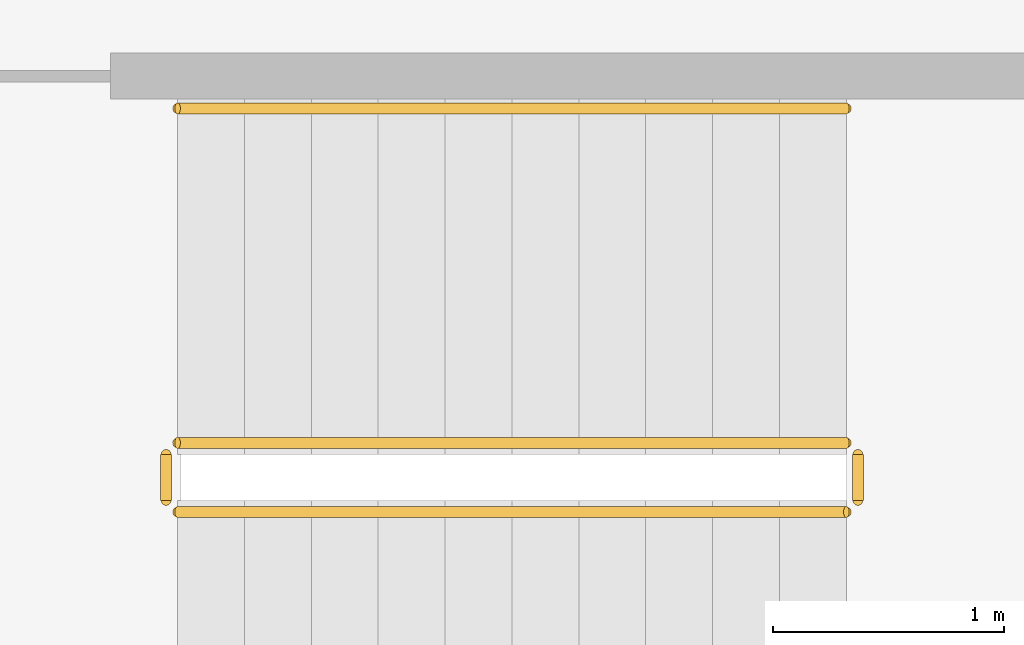
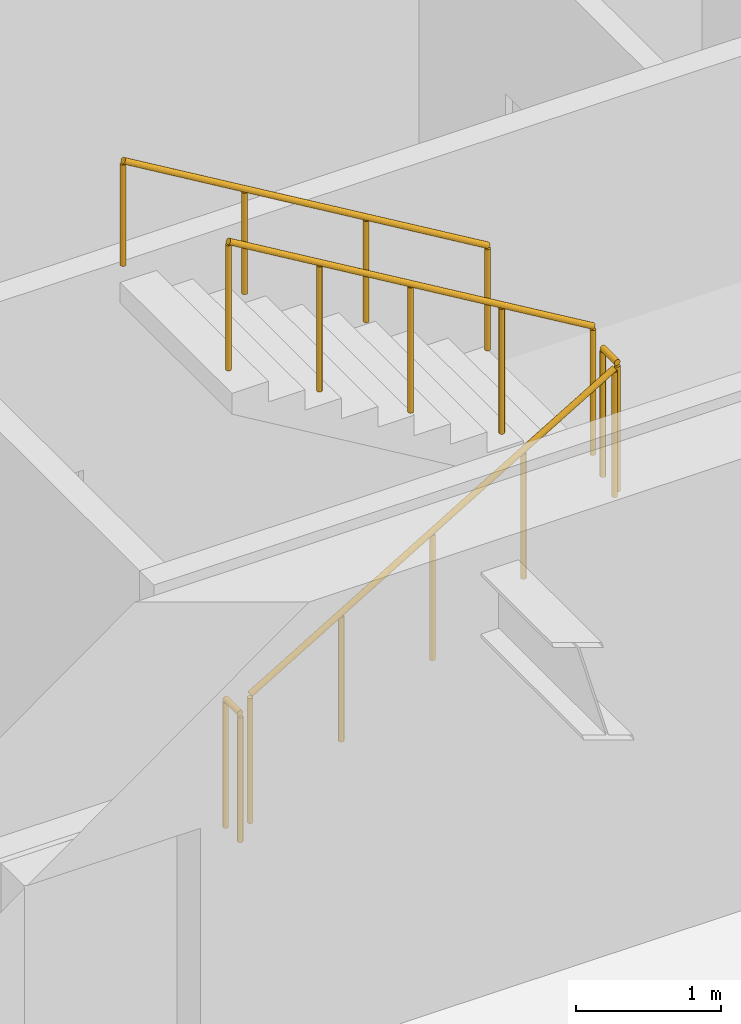
# One storey, part 21 of 22: 5 railings.
"""IFC4 building model written with IfcOpenShell, lengths in metres."""

from ifc_helpers import new_model, si_unit, direction, frame, origin, origin_2d, place, context, subcontext, project, spatial, circle, extrude, material, type_object, element, save


model = new_model("IFC4")

# Units and contexts
model_context = context("Model", 3, precision=1e-05, world=origin(), true_north=direction((0.0, 1.0)))
body_context = subcontext(model_context, "Body", "Model", "MODEL_VIEW")
ifc_project = project(units=[si_unit("LENGTHUNIT", "METRE"), si_unit("AREAUNIT", "SQUARE_METRE"), si_unit("VOLUMEUNIT", "CUBIC_METRE"), si_unit("PLANEANGLEUNIT", "RADIAN"), si_unit("MASSUNIT", "GRAM", prefix="KILO")], contexts=[model_context])

# Site, building, storey
site_placement = place(None, origin())
site = spatial("IfcSite", under=ifc_project, at=site_placement, CompositionType="ELEMENT")
building_placement = place(site_placement, origin())
building = spatial("IfcBuilding", under=site, at=building_placement, Name="Putna Gate Headquarters", CompositionType="ELEMENT")
storey_placement = place(building_placement, frame((0.0, 0.0, 186.0)))
storey = spatial("IfcBuildingStorey", under=building, at=storey_placement, Name="L46", CompositionType="ELEMENT", Elevation=186.0)

# Railings
ifc_material_1 = material(Name="Powder-coated steel stair guardrail", Category="steel")
railing_type_1 = type_object("IfcRailingType", Name="RAIL-STAIR-GUARD-1100", PredefinedType="GUARDRAIL", material=ifc_material_1)
railing_1_placement = place(storey_placement, frame((57.89990234375, 21.10009765625, 0.172607421875)))
element("IfcRailing", 1, at=railing_1_placement, inside=storey, type_object=railing_type_1, Name="L46 ST2 stair guard 1", PredefinedType="GUARDRAIL", context=body_context, shape_type="SweptSolid", body=[
    extrude(circle(Radius=0.02392578125, at=origin_2d()), frame((0.0, 0.0, 1.076171875), z_axis=(0.859160404282, 0.0, 0.51170636083), x_axis=(0.0, 1.0, 0.0)), (0.0, 0.0, 1.0), 3.37548828125),
    extrude(circle(Radius=0.02099609375, at=origin_2d()), origin(), (0.0, 0.0, 1.0), 1.052001953125),
    extrude(circle(Radius=0.02099609375, at=origin_2d()), frame((0.72509765625, 0.0, 0.431884765625)), (0.0, 0.0, 1.0), 1.052001953125),
    extrude(circle(Radius=0.02099609375, at=origin_2d()), frame((1.4501953125, 0.0, 0.86376953125)), (0.0, 0.0, 1.0), 1.052001953125),
    extrude(circle(Radius=0.02099609375, at=origin_2d()), frame((2.175048828125, 0.0, 1.29541015625)), (0.0, 0.0, 1.0), 1.052001953125),
    extrude(circle(Radius=0.02099609375, at=origin_2d()), frame((2.900146484375, 0.0, 1.727294921875)), (0.0, 0.0, 1.0), 1.052001953125),
])
railing_2_placement = place(storey_placement, frame((60.85009765625, 21.14990234375, 1.89990234375)))
element("IfcRailing", 2, at=railing_2_placement, inside=storey, type_object=railing_type_1, Name="L46 ST2 stair guard 2", PredefinedType="GUARDRAIL", context=body_context, shape_type="SweptSolid", body=[
    extrude(circle(Radius=0.02392578125, at=origin_2d()), frame((0.0, 0.0, 1.076171875), z_axis=(0.0, 1.0, 0.0), x_axis=(-1.0, 0.0, 0.0)), (0.0, 0.0, 1.0), 0.2001953125),
    extrude(circle(Radius=0.02099609375, at=origin_2d()), origin(), (0.0, 0.0, 1.0), 1.052001953125),
    extrude(circle(Radius=0.02099609375, at=origin_2d()), frame((0.0, 0.2001953125, 0.0)), (0.0, 0.0, 1.0), 1.052001953125),
])
railing_3_placement = place(storey_placement, frame((60.800048828125, 21.39990234375, 2.07275390625)))
element("IfcRailing", 3, at=railing_3_placement, inside=storey, type_object=railing_type_1, Name="L46 ST2 stair guard 3", PredefinedType="GUARDRAIL", context=body_context, shape_type="SweptSolid", body=[
    extrude(circle(Radius=0.02392578125, at=origin_2d()), frame((0.0, 0.0, 1.076171875), z_axis=(-0.859160404282, 0.0, 0.51170636083), x_axis=(0.0, -1.0, 0.0)), (0.0, 0.0, 1.0), 3.37548828125),
    extrude(circle(Radius=0.02099609375, at=origin_2d()), origin(), (0.0, 0.0, 1.0), 1.052001953125),
    extrude(circle(Radius=0.02099609375, at=origin_2d()), frame((-0.72509765625, 0.0, 0.431884765625)), (0.0, 0.0, 1.0), 1.052001953125),
    extrude(circle(Radius=0.02099609375, at=origin_2d()), frame((-1.4501953125, 0.0, 0.86376953125)), (0.0, 0.0, 1.0), 1.052001953125),
    extrude(circle(Radius=0.02099609375, at=origin_2d()), frame((-2.175048828125, 0.0, 1.29541015625)), (0.0, 0.0, 1.0), 1.052001953125),
    extrude(circle(Radius=0.02099609375, at=origin_2d()), frame((-2.900146484375, 0.0, 1.727294921875)), (0.0, 0.0, 1.0), 1.052001953125),
])
railing_4_placement = place(storey_placement, frame((57.85009765625, 21.14990234375, 0.0)))
element("IfcRailing", 4, at=railing_4_placement, inside=storey, type_object=railing_type_1, Name="L46 ST2 stair guard 4", PredefinedType="GUARDRAIL", context=body_context, shape_type="SweptSolid", body=[
    extrude(circle(Radius=0.02392578125, at=origin_2d()), frame((0.0, 0.0, 1.076171875), z_axis=(0.0, 1.0, 0.0), x_axis=(-1.0, 0.0, 0.0)), (0.0, 0.0, 1.0), 0.2001953125),
    extrude(circle(Radius=0.02099609375, at=origin_2d()), origin(), (0.0, 0.0, 1.0), 1.052001953125),
    extrude(circle(Radius=0.02099609375, at=origin_2d()), frame((0.0, 0.2001953125, 0.0)), (0.0, 0.0, 1.0), 1.052001953125),
])
ifc_material_2 = material(Name="Brushed stainless steel handrail", Category="steel")
railing_type_2 = type_object("IfcRailingType", Name="RAIL-STAIR-HAND-900", PredefinedType="HANDRAIL", material=ifc_material_2)
railing_5_placement = place(storey_placement, frame((60.800048828125, 22.85009765625, 2.07275390625)))
element("IfcRailing", 5, at=railing_5_placement, inside=storey, type_object=railing_type_2, Name="L46 ST2 stair handrail 2", PredefinedType="HANDRAIL", context=body_context, shape_type="SweptSolid", body=[
    extrude(circle(Radius=0.02392578125, at=origin_2d()), frame((0.0, 0.0, 0.8759765625), z_axis=(-0.859160404282, 0.0, 0.51170636083), x_axis=(0.0, -1.0, 0.0)), (0.0, 0.0, 1.0), 3.37548828125),
    extrude(circle(Radius=0.02099609375, at=origin_2d()), origin(), (0.0, 0.0, 1.0), 0.851806640625),
    extrude(circle(Radius=0.02099609375, at=origin_2d()), frame((-0.966796875, 0.0, 0.57568359375)), (0.0, 0.0, 1.0), 0.851806640625),
    extrude(circle(Radius=0.02099609375, at=origin_2d()), frame((-1.933349609375, 0.0, 1.151611328125)), (0.0, 0.0, 1.0), 0.851806640625),
    extrude(circle(Radius=0.02099609375, at=origin_2d()), frame((-2.900146484375, 0.0, 1.727294921875)), (0.0, 0.0, 1.0), 0.851806640625),
])

save(model, "model.ifc")
